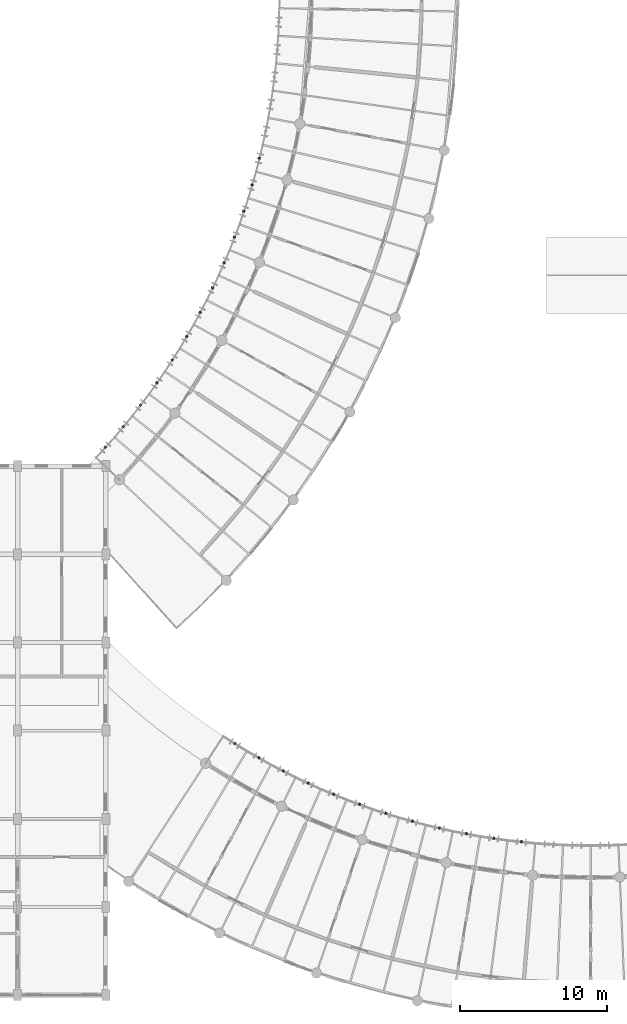
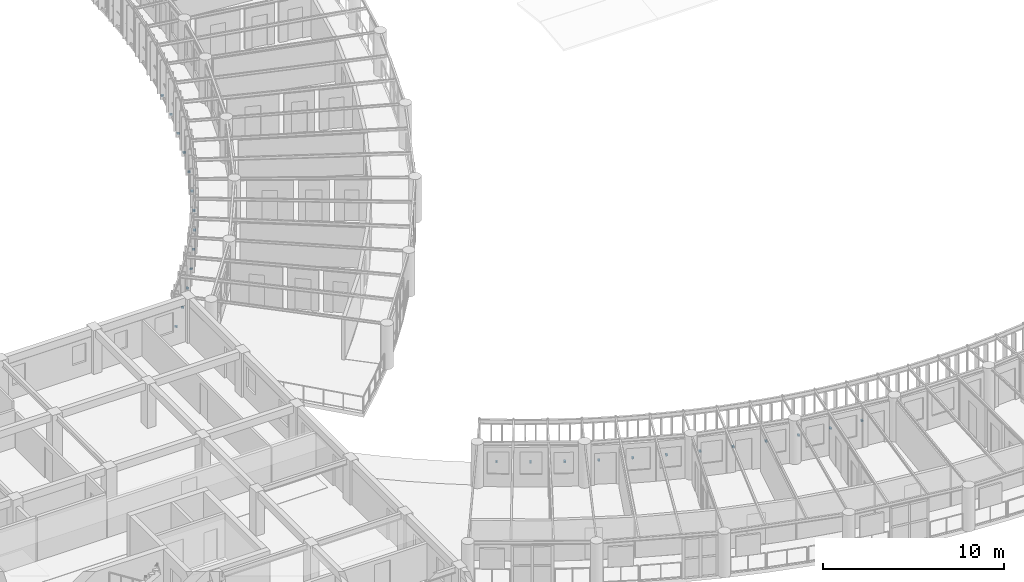
# One storey, part 83 of 100: 25 discrete accessories.
"""IFC4 building model written with IfcOpenShell, lengths in metres."""

from ifc_helpers import new_model, si_unit, direction, frame, origin, origin_2d, place, context, subcontext, project, spatial, rectangle, extrude, material, type_object, element, save


model = new_model("IFC4")

# Units and contexts
model_context = context("Model", 3, precision=1e-05, world=origin(), true_north=direction((0.0, 1.0)))
body_context = subcontext(model_context, "Body", "Model", "MODEL_VIEW")
ifc_project = project(units=[si_unit("LENGTHUNIT", "METRE"), si_unit("AREAUNIT", "SQUARE_METRE"), si_unit("VOLUMEUNIT", "CUBIC_METRE"), si_unit("PLANEANGLEUNIT", "RADIAN"), si_unit("MASSUNIT", "GRAM", prefix="KILO"), si_unit("POWERUNIT", "WATT"), si_unit("THERMODYNAMICTEMPERATUREUNIT", "KELVIN")], contexts=[model_context])

# Site, building, storey
site_placement = place(None, origin())
site = spatial("IfcSite", under=ifc_project, at=site_placement, CompositionType="ELEMENT")
building_placement = place(site_placement, origin())
building = spatial("IfcBuilding", under=site, at=building_placement, Name="Ruvembo Vaulted Housing Court", CompositionType="ELEMENT")
storey_placement = place(building_placement, frame((0.0, 0.0, 10.89990234375)))
storey = spatial("IfcBuildingStorey", under=building, at=storey_placement, Name="L03", CompositionType="ELEMENT", Elevation=10.89990234375)

# Discrete accessories
ifc_material = material(Name="Stainless Steel Grade 316", Category="steel")
discrete_accessory_type = type_object("IfcDiscreteAccessoryType", Name="ACC-BRACKET-SS", PredefinedType="BRACKET", material=ifc_material)
for number, where, z_axis, x_axis, name in (
    (1, (35.958984375, 43.282958984375, 0.030029296875), (0.0, 0.0, 1.0), (0.741601288413, -0.670840911859, 0.0), "Stainless Louvre Rail Bracket #39"),
    (2, (37.18896484375, 44.69970703125, 0.030029296875), (0.0, 0.0, 1.0), (0.768495749762, -0.63985489183, 0.0), "Stainless Louvre Rail Bracket #40"),
    (3, (38.359619140625, 46.166015625, 0.030029296875), (0.0, 0.0, 1.0), (0.794043447551, -0.607861006646, 0.0), "Stainless Louvre Rail Bracket #41"),
    (4, (39.46923828125, 47.6787109375, 0.030029296875), (0.0, 0.0, 1.0), (0.818280160918, -0.574819604962, 0.0), "Stainless Louvre Rail Bracket #42"),
    (5, (40.51611328125, 49.23583984375, 0.030029296875), (0.0, 0.0, 1.0), (0.841114539051, -0.540857034896, 0.0), "Stainless Louvre Rail Bracket #43"),
    (6, (41.498291015625, 50.83447265625, 0.030029296875), (0.0, 0.0, 1.0), (0.862619633753, -0.505853108583, 0.0), "Stainless Louvre Rail Bracket #44"),
    (7, (42.4140625, 52.471923828125, 0.030029296875), (0.0, 0.0, 1.0), (0.882586804261, -0.470149479362, 0.0), "Stainless Louvre Rail Bracket #45"),
    (8, (43.26220703125, 54.145751953125, 0.030029296875), (0.0, 0.0, 1.0), (0.901099726423, -0.433611903711, 0.0), "Stainless Louvre Rail Bracket #46"),
    (9, (44.040771484375, 55.852783203125, 0.030029296875), (0.0, 0.0, 1.0), (0.918121604514, -0.396298775325, 0.0), "Stainless Louvre Rail Bracket #47"),
    (10, (44.7490234375, 57.590087890625, 0.030029296875), (0.0, 0.0, 1.0), (0.933567916527, -0.358400537432, 0.0), "Stainless Louvre Rail Bracket #48"),
    (11, (45.385498046875, 59.355224609375, 0.030029296875), (0.0, 0.0, 1.0), (0.947472959386, -0.319835881714, 0.0), "Stainless Louvre Rail Bracket #49"),
    (12, (45.948974609375, 61.144775390625, 0.030029296875), (0.0, 0.0, 1.0), (0.959790594985, -0.280716963824, 0.0), "Stainless Louvre Rail Bracket #50"),
    (13, (46.438720703125, 62.9560546875, 0.030029296875), (0.0, 0.0, 1.0), (0.970481222826, -0.241176690711, 0.0), "Stainless Louvre Rail Bracket #51"),
    (14, (44.79638671875, 23.129150390625, 0.030029296875), (0.0, 0.0, 1.0), (-0.528556868381, -0.848897895443, 0.0), "Stainless Louvre Rail Bracket #152"),
    (15, (46.420166015625, 22.1640625, 0.030029296875), (0.0, 0.0, 1.0), (-0.493106983922, -0.86996867898, 0.0), "Stainless Louvre Rail Bracket #153"),
    (16, (48.082275390625, 21.266845703125, 0.030029296875), (0.0, 0.0, 1.0), (-0.456849537333, -0.889543984432, 0.0), "Stainless Louvre Rail Bracket #154"),
    (17, (49.780029296875, 20.438720703125, 0.030029296875), (0.0, 0.0, 1.0), (-0.419737248448, -0.90764565898, 0.0), "Stainless Louvre Rail Bracket #155"),
    (18, (51.510498046875, 19.681396484375, 0.030029296875), (0.0, 0.0, 1.0), (-0.381957701122, -0.924179806398, 0.0), "Stainless Louvre Rail Bracket #156"),
    (19, (53.2705078125, 18.99609375, 0.030029296875), (0.0, 0.0, 1.0), (-0.343512177766, -0.939148222447, 0.0), "Stainless Louvre Rail Bracket #157"),
    (20, (55.0576171875, 18.384033203125, 0.030029296875), (0.0, 0.0, 1.0), (-0.304448708958, -0.952528731122, 0.0), "Stainless Louvre Rail Bracket #158"),
    (21, (56.8681640625, 17.84619140625, 0.030029296875), (0.0, 0.0, 1.0), (-0.264983965035, -0.96425281865, 0.0), "Stainless Louvre Rail Bracket #159"),
    (22, (58.699462890625, 17.38330078125, 0.030029296875), (0.0, 0.0, 1.0), (-0.224951054344, -0.974370064785, 0.0), "Stainless Louvre Rail Bracket #160"),
    (23, (60.54833984375, 16.996337890625, 0.030029296875), (0.0, 0.0, 1.0), (-0.184568910756, -0.982819575091, 0.0), "Stainless Louvre Rail Bracket #161"),
    (24, (62.41162109375, 16.686279296875, 0.030029296875), (0.0, 0.0, 1.0), (-0.143872610257, -0.989596216655, 0.0), "Stainless Louvre Rail Bracket #162"),
    (25, (64.285888671875, 16.452880859375, 0.030029296875), (0.0, 0.0, 1.0), (-0.102948783072, -0.994686658232, 0.0), "Stainless Louvre Rail Bracket #163"),
):
    element("IfcDiscreteAccessory", number, at=place(storey_placement, frame(where, z_axis=z_axis, x_axis=x_axis)), inside=storey, type_object=discrete_accessory_type, Name=name, PredefinedType="BRACKET", context=body_context, shape_type="SweptSolid", body=[
        extrude(rectangle(XDim=0.159912109375, YDim=0.1201171875, at=origin_2d()), origin(), (0.0, 0.0, 1.0), 0.10009765625),
    ])

save(model, "model.ifc")
